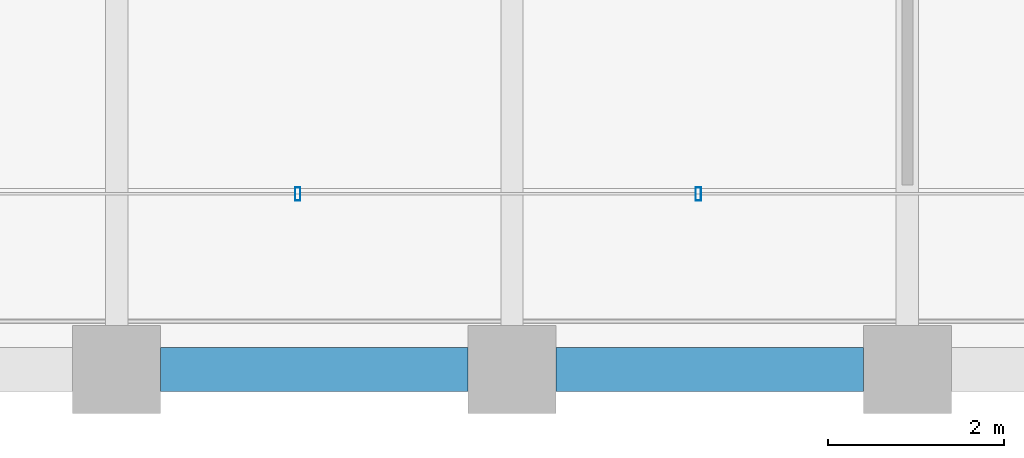
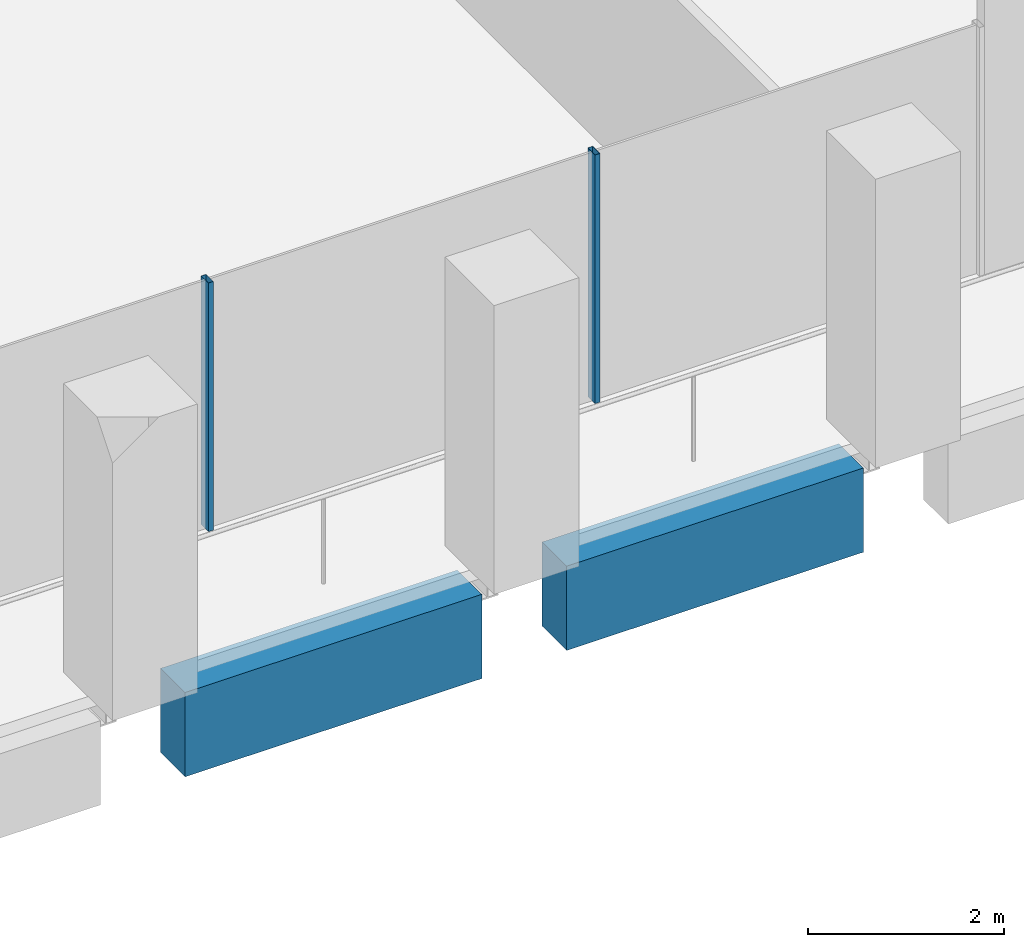
# One storey, part 3 of 47: 2 beams, 2 members, 1 element without a shape of its own.
"""IFC4 building model written with IfcOpenShell, lengths in metres."""

from ifc_helpers import new_model, si_unit, direction, frame, origin, origin_2d, place, context, subcontext, project, spatial, rectangle, hollow_rectangle, extrude, material, material_profile, profile_set, type_object, element, aggregate, save


model = new_model("IFC4")

# Units and contexts
model_context = context("Model", 3, precision=1e-05, world=origin(), true_north=direction((0.0, 1.0)))
body_context = subcontext(model_context, "Body", "Model", "MODEL_VIEW")
ifc_project = project(units=[si_unit("LENGTHUNIT", "METRE"), si_unit("AREAUNIT", "SQUARE_METRE"), si_unit("VOLUMEUNIT", "CUBIC_METRE"), si_unit("PLANEANGLEUNIT", "RADIAN"), si_unit("MASSUNIT", "GRAM", prefix="KILO")], contexts=[model_context])

# Site, building, storey
site_placement = place(None, origin())
site = spatial("IfcSite", under=ifc_project, at=site_placement, CompositionType="ELEMENT")
building_placement = place(site_placement, origin())
building = spatial("IfcBuilding", under=site, at=building_placement, Name="Altepetl Exchange Towers", CompositionType="ELEMENT")
storey_placement = place(building_placement, frame((0.0, 0.0, 95.60009765625)))
storey = spatial("IfcBuildingStorey", under=building, at=storey_placement, Name="L23", CompositionType="ELEMENT", Elevation=95.60009765625)

# Curtain wall, members
ifc_material_1 = material(Name="Aluminium 6063-T6 glazing", Category="aluminium")
curtain_wall_type = type_object("IfcCurtainWallType", Name="Loggia glazing system", PredefinedType="NOTDEFINED", material=ifc_material_1)
curtain_wall_placement = place(storey_placement, origin())
curtain_wall = element("IfcCurtainWall", 1, at=curtain_wall_placement, inside=storey, type_object=curtain_wall_type, Name="CW1 run", PredefinedType="NOTDEFINED")
ifc_material_2 = material(Name="Aluminium 6063-T6", Category="aluminium")
ifc_material_profile_1 = material_profile(ifc_material_2, hollow_rectangle(XDim=0.06005859375, YDim=0.14990234375, WallThickness=0.0029296875, at=origin_2d()), Name="Mullion 60x150 aluminium")
ifc_profile_set_1 = profile_set([ifc_material_profile_1], Name="Aluminium 6063-T6")
member_type = type_object("IfcMemberType", Name="Mullion 60x150 aluminium", PredefinedType="MULLION", material=ifc_profile_set_1)
member_1_placement = place(storey_placement, frame((38.060791015625, 29.0, 0.0)))
member_1 = element("IfcMember", 2, at=member_1_placement, type_object=member_type, Name="MU1 mullion", PredefinedType="MULLION", context=body_context, shape_type="SweptSolid", body=[
    extrude(hollow_rectangle(XDim=0.06005859375, YDim=0.14990234375, WallThickness=0.0029296875, at=origin_2d()), origin(), (0.0, 0.0, 1.0), 3.099853515625),
])
member_2_placement = place(storey_placement, frame((42.621337890625, 29.0, 0.0)))
member_2 = element("IfcMember", 3, at=member_2_placement, type_object=member_type, Name="MU1 mullion", PredefinedType="MULLION", context=body_context, shape_type="SweptSolid", body=[
    extrude(hollow_rectangle(XDim=0.06005859375, YDim=0.14990234375, WallThickness=0.0029296875, at=origin_2d()), origin(), (0.0, 0.0, 1.0), 3.099853515625),
])
aggregate(curtain_wall, [member_1, member_2])

# Beams
ifc_material_3 = material(Name="Concrete C50/60 precast with cantera blanca facing", Category="concrete")
ifc_material_profile_2 = material_profile(ifc_material_3, rectangle(XDim=0.5, YDim=1.050048828125, at=origin_2d()), Name="500 x 1050")
ifc_profile_set_2 = profile_set([ifc_material_profile_2], Name="Concrete C50/60 precast with cantera blanca facing")
beam_type = type_object("IfcBeamType", Name="Spandrel beam 500x1050 cantera blanca", PredefinedType="SPANDREL", material=ifc_profile_set_2)
for number, where, z_axis, x_axis, name in (
    (4, (36.5, 27.0, -0.675048828125), (1.0, 0.0, 0.0), (0.0, 1.0, 0.0), "sp:A:L23:001"),
    (5, (41.0, 27.0, -0.675048828125), (1.0, 0.0, 0.0), (0.0, 1.0, 0.0), "sp:A:L23:002"),
):
    element("IfcBeam", number, at=place(storey_placement, frame(where, z_axis=z_axis, x_axis=x_axis)), inside=storey, type_object=beam_type, Name=name, PredefinedType="SPANDREL", context=body_context, shape_type="SweptSolid", body=[
        extrude(rectangle(XDim=0.5, YDim=1.050048828125, at=origin_2d()), origin(), (0.0, 0.0, 1.0), 3.5),
    ])

save(model, "model.ifc")
